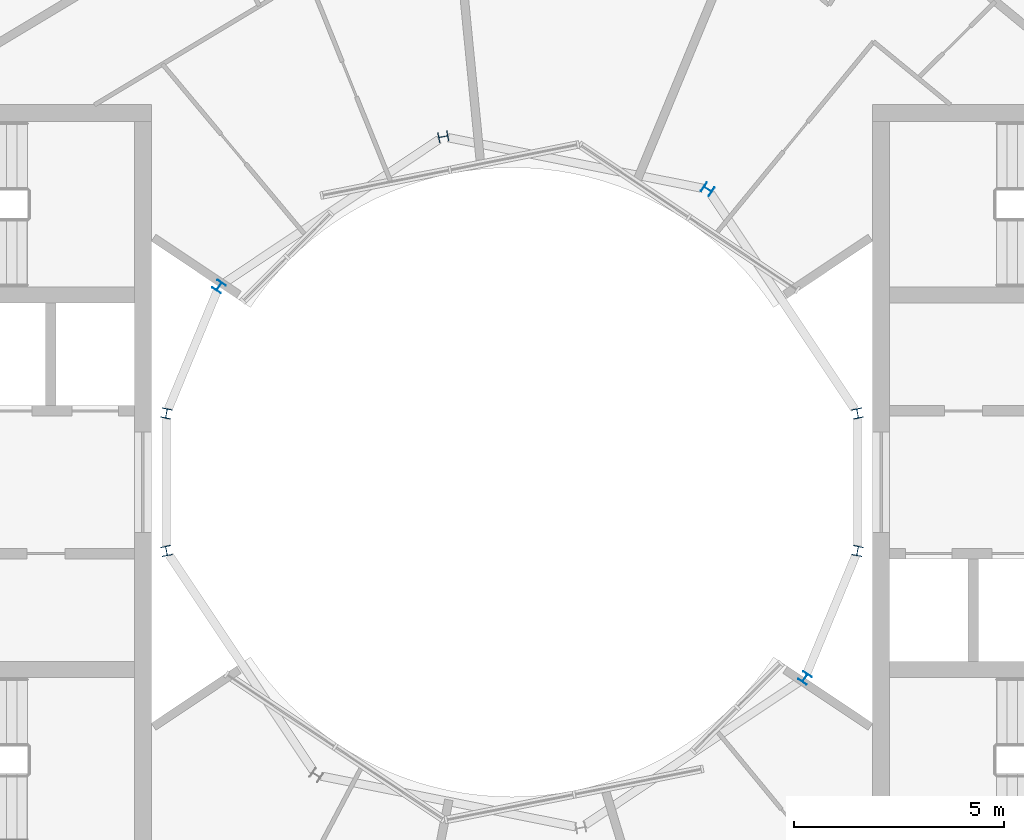
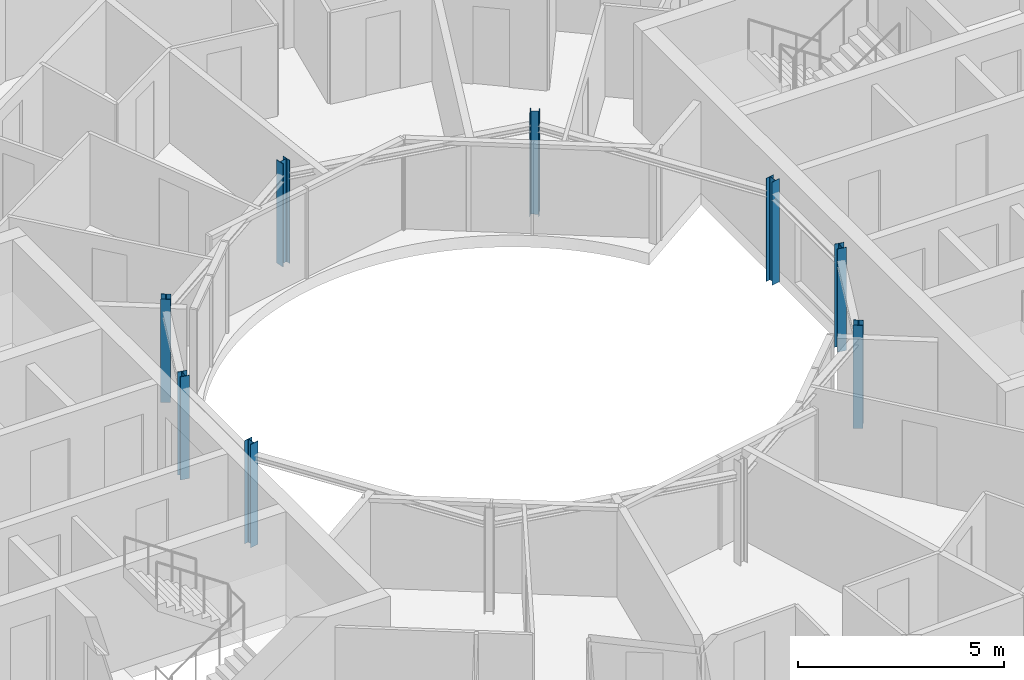
# One storey, part 2 of 17: 8 columns.
"""IFC4 building model written with IfcOpenShell, lengths in metres."""

from ifc_helpers import new_model, si_unit, direction, frame, origin, origin_2d, place, context, subcontext, project, spatial, i_section, extrude, material, material_profile, profile_set, type_object, element, save


model = new_model("IFC4")

# Units and contexts
model_context = context("Model", 3, precision=1e-05, world=origin(), true_north=direction((0.0, 1.0)))
body_context = subcontext(model_context, "Body", "Model", "MODEL_VIEW")
ifc_project = project(units=[si_unit("LENGTHUNIT", "METRE"), si_unit("AREAUNIT", "SQUARE_METRE"), si_unit("VOLUMEUNIT", "CUBIC_METRE"), si_unit("PLANEANGLEUNIT", "RADIAN"), si_unit("MASSUNIT", "GRAM", prefix="KILO")], contexts=[model_context])

# Site, building, storey
site_placement = place(None, origin())
site = spatial("IfcSite", under=ifc_project, at=site_placement, CompositionType="ELEMENT")
building_placement = place(site_placement, origin())
building = spatial("IfcBuilding", under=site, at=building_placement, Name="Maasbend Ring Residences", CompositionType="ELEMENT")
storey_placement = place(building_placement, frame((0.0, 0.0, 249.300048828125)))
storey = spatial("IfcBuildingStorey", under=building, at=storey_placement, Name="L72", CompositionType="ELEMENT", Elevation=249.300048828125)

# Columns
ifc_material = material(Name="Steel S355J2", Category="steel")
ifc_material_profile = material_profile(ifc_material, i_section(OverallWidth=0.239990234375, OverallDepth=0.22998046875, WebThickness=0.007568359375, FlangeThickness=0.011962890625, FilletRadius=0.02099609375, at=origin_2d()), Name="HEA 240")
ifc_profile_set = profile_set([ifc_material_profile], Name="Steel S355J2")
column_type = type_object("IfcColumnType", Name="Steel column HEA 240", PredefinedType="COLUMN", material=ifc_profile_set)
for number, where, z_axis, x_axis, name in (
    (1, (8.238525390625, 1.638916015625, 0.0), (0.0, 0.0, 1.0), (0.980785280403, 0.195090322016, 0.0), "Well ring column R1"),
    (2, (4.666748046875, 6.984375, 0.0), (0.0, 0.0, 1.0), (0.55557023302, 0.831469612303, 0.0), "Well ring column R3"),
    (3, (-1.638916015625, 8.238525390625, 0.0), (0.0, 0.0, 1.0), (-0.195090322016, 0.980785280403, 0.0), "Well ring column R5"),
    (4, (-6.984375, 4.666748046875, 0.0), (0.0, 0.0, 1.0), (-0.831469612303, 0.55557023302, 0.0), "Well ring column R7"),
    (5, (-8.238525390625, 1.638916015625, 0.0), (0.0, 0.0, 1.0), (-0.980785280403, 0.195090322016, 0.0), "Well ring column R8"),
    (6, (-8.238525390625, -1.638916015625, 0.0), (0.0, 0.0, 1.0), (-0.980785280403, -0.195090322016, 0.0), "Well ring column R9"),
    (7, (6.984375, -4.666748046875, 0.0), (0.0, 0.0, 1.0), (0.831469612303, -0.55557023302, 0.0), "Well ring column R15"),
    (8, (8.238525390625, -1.638916015625, 0.0), (0.0, 0.0, 1.0), (0.980785280403, -0.195090322016, 0.0), "Well ring column R16"),
):
    element("IfcColumn", number, at=place(storey_placement, frame(where, z_axis=z_axis, x_axis=x_axis)), inside=storey, type_object=column_type, Name=name, PredefinedType="COLUMN", context=body_context, shape_type="SweptSolid", body=[
        extrude(i_section(OverallWidth=0.239990234375, OverallDepth=0.22998046875, WebThickness=0.007568359375, FlangeThickness=0.011962890625, FilletRadius=0.02099609375, at=origin_2d()), origin(), (0.0, 0.0, 1.0), 3.050048828125),
    ])

save(model, "model.ifc")
